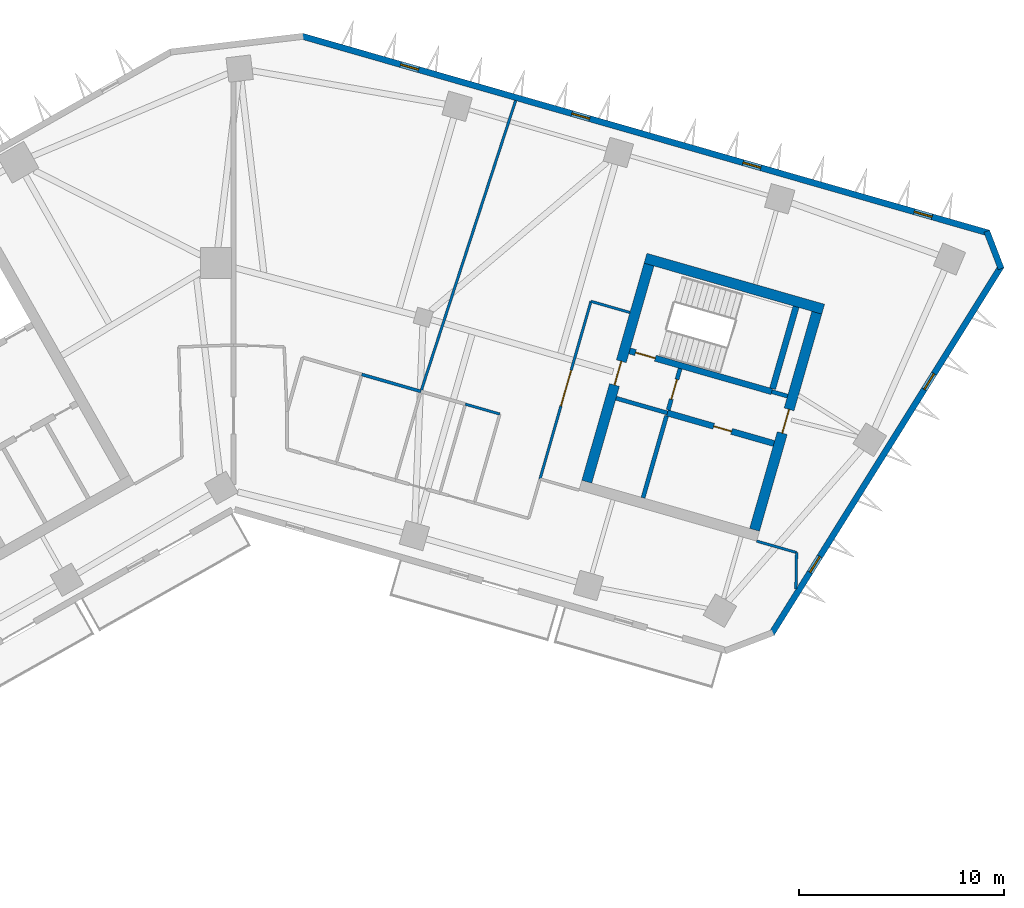
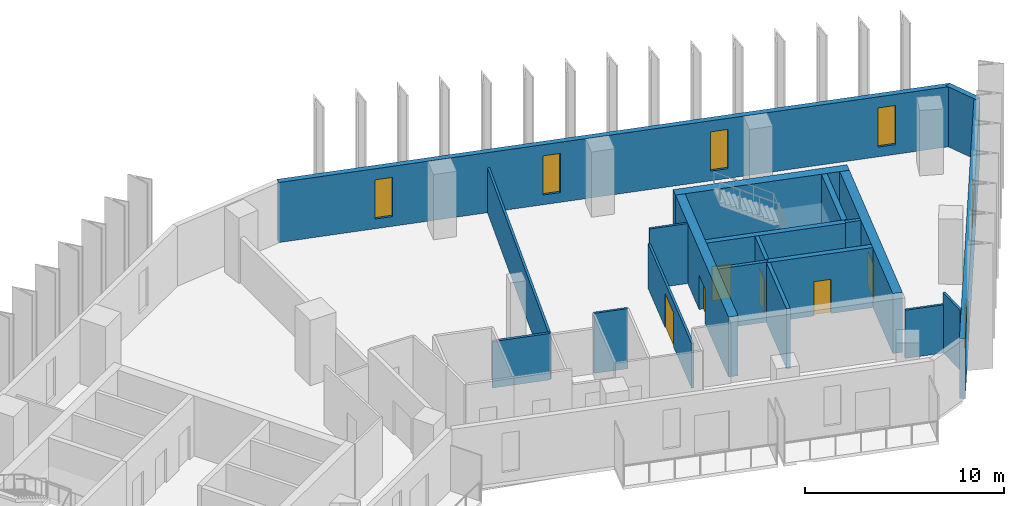
# One storey, part 6 of 10: 20 walls, 6 doors, 6 windows, 12 openings.
"""IFC4 building model written with IfcOpenShell, lengths in metres."""

from ifc_helpers import new_model, si_unit, direction, frame, frame_2d, origin, place, context, subcontext, project, spatial, rectangle, extrude, material, layer, layer_set, type_object, element, fill, save


model = new_model("IFC4")

# Units and contexts
model_context = context("Model", 3, precision=1e-05, world=origin(), true_north=direction((0.0, 1.0)))
body_context = subcontext(model_context, "Body", "Model", "MODEL_VIEW")
ifc_project = project(units=[si_unit("LENGTHUNIT", "METRE"), si_unit("AREAUNIT", "SQUARE_METRE"), si_unit("VOLUMEUNIT", "CUBIC_METRE"), si_unit("PLANEANGLEUNIT", "RADIAN"), si_unit("MASSUNIT", "GRAM", prefix="KILO")], contexts=[model_context])

# Site, building, storey
site_placement = place(None, origin())
site = spatial("IfcSite", under=ifc_project, at=site_placement, CompositionType="ELEMENT")
building_placement = place(site_placement, origin())
building = spatial("IfcBuilding", under=site, at=building_placement, Name="Binnacle Exchange Tower", CompositionType="ELEMENT")
storey_placement = place(building_placement, frame((0.0, 0.0, 186.89990234375)))
storey = spatial("IfcBuildingStorey", under=building, at=storey_placement, Name="L40", CompositionType="ELEMENT", Elevation=186.89990234375)

# Wall, opening, door
ifc_material_1 = material(Name="Concrete C70/85", Category="concrete")
ifc_layer_1 = layer(ifc_material_1, 0.300048828125)
ifc_layer_set_1 = layer_set([ifc_layer_1], Name="Core wall - front 300")
wall_type_1 = type_object("IfcWallType", Name="Core wall - front 300", PredefinedType="SOLIDWALL", material=ifc_layer_set_1)
wall_1_placement = place(storey_placement, frame((21.130859375, 52.6923828125, 0.0), z_axis=(0.0, 0.0, 1.0), x_axis=(0.961271043721, -0.27560475414, 0.0)))
wall_1 = element("IfcWall", 1, at=wall_1_placement, inside=storey, type_object=wall_type_1, Name="Core wall CRWD3", PredefinedType="SOLIDWALL", context=body_context, shape_type="SweptSolid", body=[
    extrude(rectangle(XDim=5.400146484375, YDim=0.300048828125, at=frame_2d((2.7001953125, 0.0))), origin(), (0.0, 0.0, 1.0), 3.68017578125),
])
opening_1_placement = place(wall_1_placement, frame((2.35009765625, 0.0, 0.0)))
opening_1 = element("IfcOpeningElement", 2, at=opening_1_placement, cuts=wall_1, Name="Opening DD10", PredefinedType="OPENING", context=body_context, shape_type="SweptSolid", body=[
    extrude(rectangle(XDim=0.89990234375, YDim=2.10009765625, at=frame_2d((0.449951171875, 1.050048828125))), frame((0.0, 0.159912109375, 0.0), z_axis=(0.0, -1.0, 0.0), x_axis=(1.0, 0.0, 0.0)), (0.0, 0.0, 1.0), 0.320068359375),
])
ifc_material_2 = material(Name="Steel door leaf", Category="steel")
door_type_1 = type_object("IfcDoorType", Name="Fire door 900", OperationType="NOTDEFINED", PredefinedType="DOOR", material=ifc_material_2)
door_1_placement = place(opening_1_placement, frame((0.89990234375, 0.0, 0.0), z_axis=(0.0, 0.0, 1.0), x_axis=(-1.0, 0.0, 0.0)))
door_1 = element("IfcDoor", 3, at=door_1_placement, inside=storey, type_object=door_type_1, Name="Core room door TELECOM RISER ROOM", OperationType="SINGLE_SWING_LEFT", OverallHeight=2.10009765625, OverallWidth=0.89990234375, PredefinedType="DOOR", context=body_context, shape_type="SweptSolid", body=[
    extrude(rectangle(XDim=0.89990234375, YDim=2.10009765625, at=frame_2d((0.449951171875, 1.050048828125))), frame((0.0, 0.02490234375, 0.0), z_axis=(0.0, -1.0, 0.0), x_axis=(1.0, 0.0, 0.0)), (0.0, 0.0, 1.0), 0.050048828125),
])
fill(opening_1, door_1)

# Wall
ifc_layer_2 = layer(ifc_material_1, 0.5)
ifc_layer_set_2 = layer_set([ifc_layer_2], Name="Core wall - outer 500")
wall_type_2 = type_object("IfcWallType", Name="Core wall - outer 500", PredefinedType="SOLIDWALL", material=ifc_layer_set_2)
wall_2_placement = place(storey_placement, frame((20.066650390625, 60.227783203125, 0.0), z_axis=(0.0, 0.0, 1.0), x_axis=(0.96126248289, -0.275634611374, 0.0)))
element("IfcWall", 4, at=wall_2_placement, inside=storey, type_object=wall_type_2, Name="Core wall CRWD6", PredefinedType="SOLIDWALL", context=body_context, shape_type="SweptSolid", body=[
    extrude(rectangle(XDim=9.0, YDim=0.5, at=frame_2d((4.5, 0.0))), origin(), (0.0, 0.0, 1.0), 3.68017578125),
])

# Wall, opening, door
wall_3_placement = place(storey_placement, frame((17.2060546875, 49.344482421875, 0.0), z_axis=(0.0, 0.0, 1.0), x_axis=(0.275632651182, 0.961263044958, 0.0)))
wall_3 = element("IfcWall", 5, at=wall_3_placement, inside=storey, type_object=wall_type_2, Name="Core wall CRWD7", PredefinedType="SOLIDWALL", context=body_context, shape_type="SweptSolid", body=[
    extrude(rectangle(XDim=11.0, YDim=0.5, at=frame_2d((5.5, 0.0))), origin(), (0.0, 0.0, 1.0), 3.68017578125),
])
opening_2_placement = place(wall_3_placement, frame((4.89990234375, 0.0, 0.0)))
opening_2 = element("IfcOpeningElement", 6, at=opening_2_placement, cuts=wall_3, Name="Opening DD5", PredefinedType="OPENING", context=body_context, shape_type="SweptSolid", body=[
    extrude(rectangle(XDim=1.199951171875, YDim=2.10009765625, at=frame_2d((0.60009765625, 1.050048828125))), frame((0.0, 0.260009765625, 0.0), z_axis=(0.0, -1.0, 0.0), x_axis=(1.0, 0.0, 0.0)), (0.0, 0.0, 1.0), 0.52001953125),
])
door_type_2 = type_object("IfcDoorType", Name="Fire door 1200", OperationType="NOTDEFINED", PredefinedType="DOOR", material=ifc_material_2)
door_2_placement = place(opening_2_placement, origin())
door_2 = element("IfcDoor", 7, at=door_2_placement, inside=storey, type_object=door_type_2, Name="Vestibule exit door VEST-W", OperationType="SINGLE_SWING_LEFT", OverallHeight=2.10009765625, OverallWidth=1.199951171875, PredefinedType="DOOR", context=body_context, shape_type="SweptSolid", body=[
    extrude(rectangle(XDim=1.199951171875, YDim=2.10009765625, at=frame_2d((0.60009765625, 1.050048828125))), frame((0.0, 0.02490234375, 0.0), z_axis=(0.0, -1.0, 0.0), x_axis=(1.0, 0.0, 0.0)), (0.0, 0.0, 1.0), 0.050048828125),
])
fill(opening_2, door_2)

wall_4_placement = place(storey_placement, frame((25.376708984375, 47.001708984375, 0.0), z_axis=(0.0, 0.0, 1.0), x_axis=(0.275632651182, 0.961263044958, 0.0)))
wall_4 = element("IfcWall", 8, at=wall_4_placement, inside=storey, type_object=wall_type_2, Name="Core wall CRWD12", PredefinedType="SOLIDWALL", context=body_context, shape_type="SweptSolid", body=[
    extrude(rectangle(XDim=11.0, YDim=0.5, at=frame_2d((5.5, 0.0))), origin(), (0.0, 0.0, 1.0), 3.68017578125),
])
opening_3_placement = place(wall_4_placement, frame((4.89990234375, 0.0, 0.0)))
opening_3 = element("IfcOpeningElement", 9, at=opening_3_placement, cuts=wall_4, Name="Opening DD6", PredefinedType="OPENING", context=body_context, shape_type="SweptSolid", body=[
    extrude(rectangle(XDim=1.199951171875, YDim=2.10009765625, at=frame_2d((0.60009765625, 1.050048828125))), frame((0.0, 0.260009765625, 0.0), z_axis=(0.0, -1.0, 0.0), x_axis=(1.0, 0.0, 0.0)), (0.0, 0.0, 1.0), 0.52001953125),
])
door_3_placement = place(opening_3_placement, frame((1.199951171875, 0.0, 0.0), z_axis=(0.0, 0.0, 1.0), x_axis=(-1.0, 0.0, 0.0)))
door_3 = element("IfcDoor", 10, at=door_3_placement, inside=storey, type_object=door_type_2, Name="Core passage exit door", OperationType="SINGLE_SWING_RIGHT", OverallHeight=2.10009765625, OverallWidth=1.199951171875, PredefinedType="DOOR", context=body_context, shape_type="SweptSolid", body=[
    extrude(rectangle(XDim=1.199951171875, YDim=2.10009765625, at=frame_2d((0.60009765625, 1.050048828125))), frame((0.0, 0.02490234375, 0.0), z_axis=(0.0, -1.0, 0.0), x_axis=(1.0, 0.0, 0.0)), (0.0, 0.0, 1.0), 0.050048828125),
])
fill(opening_3, door_3)

ifc_layer_3 = layer(ifc_material_1, 0.300048828125)
ifc_layer_set_3 = layer_set([ifc_layer_3], Name="Core wall - stair 300")
wall_type_3 = type_object("IfcWallType", Name="Core wall - stair 300", PredefinedType="SOLIDWALL", material=ifc_layer_set_3)
wall_5_placement = place(storey_placement, frame((19.293212890625, 55.71630859375, 0.0), z_axis=(0.0, 0.0, 1.0), x_axis=(0.96125862491, -0.275648065539, 0.0)))
wall_5 = element("IfcWall", 11, at=wall_5_placement, inside=storey, type_object=wall_type_3, Name="Core wall CRWD4", PredefinedType="SOLIDWALL", context=body_context, shape_type="SweptSolid", body=[
    extrude(rectangle(XDim=7.199951171875, YDim=0.300048828125, at=frame_2d((3.60009765625, 0.0))), origin(), (0.0, 0.0, 1.0), 3.68017578125),
])
opening_4_placement = place(wall_5_placement, frame((0.300048828125, 0.0, 0.0)))
opening_4 = element("IfcOpeningElement", 12, at=opening_4_placement, cuts=wall_5, Name="Opening DD1", PredefinedType="OPENING", context=body_context, shape_type="SweptSolid", body=[
    extrude(rectangle(XDim=1.0, YDim=2.10009765625, at=frame_2d((0.5, 1.050048828125))), frame((0.0, 0.159912109375, 0.0), z_axis=(0.0, -1.0, 0.0), x_axis=(1.0, 0.0, 0.0)), (0.0, 0.0, 1.0), 0.320068359375),
])
door_type_3 = type_object("IfcDoorType", Name="Fire door 1000", OperationType="NOTDEFINED", PredefinedType="DOOR", material=ifc_material_2)
door_4_placement = place(opening_4_placement, origin())
door_4 = element("IfcDoor", 13, at=door_4_placement, inside=storey, type_object=door_type_3, Name="Stair door ST-D1", OperationType="SINGLE_SWING_LEFT", OverallHeight=2.10009765625, OverallWidth=1.0, PredefinedType="DOOR", context=body_context, shape_type="SweptSolid", body=[
    extrude(rectangle(XDim=1.0, YDim=2.10009765625, at=frame_2d((0.5, 1.050048828125))), frame((0.0, 0.02490234375, 0.0), z_axis=(0.0, -1.0, 0.0), x_axis=(1.0, 0.0, 0.0)), (0.0, 0.0, 1.0), 0.050048828125),
])
fill(opening_4, door_4)

# Wall
wall_6_placement = place(storey_placement, frame((26.255615234375, 53.875732421875, 0.0), z_axis=(0.0, 0.0, 1.0), x_axis=(0.275614546295, 0.961268236171, 0.0)))
element("IfcWall", 14, at=wall_6_placement, inside=storey, type_object=wall_type_3, Name="Core wall CRWD11", PredefinedType="SOLIDWALL", context=body_context, shape_type="SweptSolid", body=[
    extrude(rectangle(XDim=4.14990234375, YDim=0.300048828125, at=frame_2d((2.074951171875, 0.0))), origin(), (0.0, 0.0, 1.0), 3.68017578125),
])

# Wall, openings, windows
ifc_material_3 = material(Name="Bronze aluminium cladding", Category="aluminium")
ifc_layer_4 = layer(ifc_material_3, 0.300048828125)
ifc_layer_set_4 = layer_set([ifc_layer_4], Name="External wall - spandrel 300")
wall_type_4 = type_object("IfcWallType", Name="External wall - spandrel 300", PredefinedType="STANDARD", material=ifc_layer_set_4)
wall_7_placement = place(storey_placement, frame((37.39892578125, 59.850830078125, 0.0), z_axis=(0.0, 0.0, 1.0), x_axis=(-0.529919986982, -0.848047644532, 0.0)))
wall_7 = element("IfcWall", 15, at=wall_7_placement, inside=storey, type_object=wall_type_4, Name="External wall EW-G04 L40", PredefinedType="STANDARD", context=body_context, shape_type="SweptSolid", body=[
    extrude(rectangle(XDim=21.125, YDim=0.300048828125, at=frame_2d((10.5625, 0.0))), origin(), (0.0, 0.0, 1.0), 3.68017578125),
])
opening_5_placement = place(wall_7_placement, frame((16.687255859375, 0.0, 0.60009765625)))
opening_5 = element("IfcOpeningElement", 16, at=opening_5_placement, cuts=wall_7, Name="Opening WS3", PredefinedType="OPENING", context=body_context, shape_type="SweptSolid", body=[
    extrude(rectangle(XDim=0.89990234375, YDim=2.39990234375, at=frame_2d((0.449951171875, 1.199951171875))), frame((0.0, 0.159912109375, 0.0), z_axis=(0.0, -1.0, 0.0), x_axis=(1.0, 0.0, 0.0)), (0.0, 0.0, 1.0), 0.320068359375),
])
opening_6_placement = place(wall_7_placement, frame((6.187255859375, 0.0, 0.60009765625)))
opening_6 = element("IfcOpeningElement", 17, at=opening_6_placement, cuts=wall_7, Name="Opening WS3", PredefinedType="OPENING", context=body_context, shape_type="SweptSolid", body=[
    extrude(rectangle(XDim=0.89990234375, YDim=2.39990234375, at=frame_2d((0.449951171875, 1.199951171875))), frame((0.0, 0.159912109375, 0.0), z_axis=(0.0, -1.0, 0.0), x_axis=(1.0, 0.0, 0.0)), (0.0, 0.0, 1.0), 0.320068359375),
])
ifc_material_4 = material(Name="Bronze anodised aluminium frame", Category="aluminium")
window_type = type_object("IfcWindowType", Name="WS3 WINDOW 900x2400", PartitioningType="SINGLE_PANEL", PredefinedType="WINDOW", material=ifc_material_4)
window_1_placement = place(opening_5_placement, origin())
window_1 = element("IfcWindow", 18, at=window_1_placement, inside=storey, type_object=window_type, Name="Window WS3 L40", OverallHeight=2.39990234375, OverallWidth=0.89990234375, PartitioningType="SINGLE_PANEL", PredefinedType="WINDOW", context=body_context, shape_type="SweptSolid", body=[
    extrude(rectangle(XDim=0.89990234375, YDim=2.39990234375, at=frame_2d((0.449951171875, 1.199951171875))), frame((0.0, 0.030029296875, 0.0), z_axis=(0.0, -1.0, 0.0), x_axis=(1.0, 0.0, 0.0)), (0.0, 0.0, 1.0), 0.06005859375),
])
fill(opening_5, window_1)
window_2_placement = place(opening_6_placement, origin())
window_2 = element("IfcWindow", 19, at=window_2_placement, inside=storey, type_object=window_type, Name="Window WS3 L40", OverallHeight=2.39990234375, OverallWidth=0.89990234375, PartitioningType="SINGLE_PANEL", PredefinedType="WINDOW", context=body_context, shape_type="SweptSolid", body=[
    extrude(rectangle(XDim=0.89990234375, YDim=2.39990234375, at=frame_2d((0.449951171875, 1.199951171875))), frame((0.0, 0.030029296875, 0.0), z_axis=(0.0, -1.0, 0.0), x_axis=(1.0, 0.0, 0.0)), (0.0, 0.0, 1.0), 0.06005859375),
])
fill(opening_6, window_2)

# Wall
wall_8_placement = place(storey_placement, frame((36.685546875, 61.542724609375, 0.0), z_axis=(0.0, 0.0, 1.0), x_axis=(0.358284408222, -0.933612490718, 0.0)))
element("IfcWall", 20, at=wall_8_placement, inside=storey, type_object=wall_type_4, Name="External wall EW-G05 L40", PredefinedType="STANDARD", context=body_context, shape_type="SweptSolid", body=[
    extrude(rectangle(XDim=1.955078125, YDim=0.300048828125, at=frame_2d((0.9775390625, 0.0))), origin(), (0.0, 0.0, 1.0), 3.68017578125),
])

# Wall, openings, windows
wall_9_placement = place(storey_placement, frame((3.33544921875, 71.043701171875, 0.0), z_axis=(0.0, 0.0, 1.0), x_axis=(0.961261395375, -0.275638404002, 0.0)))
wall_9 = element("IfcWall", 21, at=wall_9_placement, inside=storey, type_object=wall_type_4, Name="External wall EW-G06 L40", PredefinedType="STANDARD", context=body_context, shape_type="SweptSolid", body=[
    extrude(rectangle(XDim=34.796630859375, YDim=0.300048828125, at=frame_2d((17.3984375, 0.0))), origin(), (0.0, 0.0, 1.0), 3.68017578125),
])
opening_7_placement = place(wall_9_placement, frame((31.01953125, 0.0, 0.60009765625)))
opening_7 = element("IfcOpeningElement", 22, at=opening_7_placement, cuts=wall_9, Name="Opening WS3", PredefinedType="OPENING", context=body_context, shape_type="SweptSolid", body=[
    extrude(rectangle(XDim=0.89990234375, YDim=2.39990234375, at=frame_2d((0.449951171875, 1.199951171875))), frame((0.0, 0.159912109375, 0.0), z_axis=(0.0, -1.0, 0.0), x_axis=(1.0, 0.0, 0.0)), (0.0, 0.0, 1.0), 0.320068359375),
])
opening_8_placement = place(wall_9_placement, frame((22.3466796875, 0.0, 0.60009765625)))
opening_8 = element("IfcOpeningElement", 23, at=opening_8_placement, cuts=wall_9, Name="Opening WS3", PredefinedType="OPENING", context=body_context, shape_type="SweptSolid", body=[
    extrude(rectangle(XDim=0.89990234375, YDim=2.39990234375, at=frame_2d((0.449951171875, 1.199951171875))), frame((0.0, 0.159912109375, 0.0), z_axis=(0.0, -1.0, 0.0), x_axis=(1.0, 0.0, 0.0)), (0.0, 0.0, 1.0), 0.320068359375),
])
opening_9_placement = place(wall_9_placement, frame((13.673583984375, 0.0, 0.60009765625)))
opening_9 = element("IfcOpeningElement", 24, at=opening_9_placement, cuts=wall_9, Name="Opening WS3", PredefinedType="OPENING", context=body_context, shape_type="SweptSolid", body=[
    extrude(rectangle(XDim=0.89990234375, YDim=2.39990234375, at=frame_2d((0.449951171875, 1.199951171875))), frame((0.0, 0.159912109375, 0.0), z_axis=(0.0, -1.0, 0.0), x_axis=(1.0, 0.0, 0.0)), (0.0, 0.0, 1.0), 0.320068359375),
])
opening_10_placement = place(wall_9_placement, frame((5.000732421875, 0.0, 0.60009765625)))
opening_10 = element("IfcOpeningElement", 25, at=opening_10_placement, cuts=wall_9, Name="Opening WS3", PredefinedType="OPENING", context=body_context, shape_type="SweptSolid", body=[
    extrude(rectangle(XDim=0.89990234375, YDim=2.39990234375, at=frame_2d((0.449951171875, 1.199951171875))), frame((0.0, 0.159912109375, 0.0), z_axis=(0.0, -1.0, 0.0), x_axis=(1.0, 0.0, 0.0)), (0.0, 0.0, 1.0), 0.320068359375),
])
window_3_placement = place(opening_7_placement, origin())
window_3 = element("IfcWindow", 26, at=window_3_placement, inside=storey, type_object=window_type, Name="Window WS3 L40", OverallHeight=2.39990234375, OverallWidth=0.89990234375, PartitioningType="SINGLE_PANEL", PredefinedType="WINDOW", context=body_context, shape_type="SweptSolid", body=[
    extrude(rectangle(XDim=0.89990234375, YDim=2.39990234375, at=frame_2d((0.449951171875, 1.199951171875))), frame((0.0, 0.030029296875, 0.0), z_axis=(0.0, -1.0, 0.0), x_axis=(1.0, 0.0, 0.0)), (0.0, 0.0, 1.0), 0.06005859375),
])
fill(opening_7, window_3)
window_4_placement = place(opening_8_placement, origin())
window_4 = element("IfcWindow", 27, at=window_4_placement, inside=storey, type_object=window_type, Name="Window WS3 L40", OverallHeight=2.39990234375, OverallWidth=0.89990234375, PartitioningType="SINGLE_PANEL", PredefinedType="WINDOW", context=body_context, shape_type="SweptSolid", body=[
    extrude(rectangle(XDim=0.89990234375, YDim=2.39990234375, at=frame_2d((0.449951171875, 1.199951171875))), frame((0.0, 0.030029296875, 0.0), z_axis=(0.0, -1.0, 0.0), x_axis=(1.0, 0.0, 0.0)), (0.0, 0.0, 1.0), 0.06005859375),
])
fill(opening_8, window_4)
window_5_placement = place(opening_9_placement, origin())
window_5 = element("IfcWindow", 28, at=window_5_placement, inside=storey, type_object=window_type, Name="Window WS3 L40", OverallHeight=2.39990234375, OverallWidth=0.89990234375, PartitioningType="SINGLE_PANEL", PredefinedType="WINDOW", context=body_context, shape_type="SweptSolid", body=[
    extrude(rectangle(XDim=0.89990234375, YDim=2.39990234375, at=frame_2d((0.449951171875, 1.199951171875))), frame((0.0, 0.030029296875, 0.0), z_axis=(0.0, -1.0, 0.0), x_axis=(1.0, 0.0, 0.0)), (0.0, 0.0, 1.0), 0.06005859375),
])
fill(opening_9, window_5)
window_6_placement = place(opening_10_placement, origin())
window_6 = element("IfcWindow", 29, at=window_6_placement, inside=storey, type_object=window_type, Name="Window WS3 L40", OverallHeight=2.39990234375, OverallWidth=0.89990234375, PartitioningType="SINGLE_PANEL", PredefinedType="WINDOW", context=body_context, shape_type="SweptSolid", body=[
    extrude(rectangle(XDim=0.89990234375, YDim=2.39990234375, at=frame_2d((0.449951171875, 1.199951171875))), frame((0.0, 0.030029296875, 0.0), z_axis=(0.0, -1.0, 0.0), x_axis=(1.0, 0.0, 0.0)), (0.0, 0.0, 1.0), 0.06005859375),
])
fill(opening_10, window_6)

# Wall, opening, door
ifc_material_5 = material(Name="Masonry block wall", Category="masonry")
ifc_layer_5 = layer(ifc_material_5, 0.199951171875)
ifc_layer_set_5 = layer_set([ifc_layer_5], Name="Fire wall - vestibule 200")
wall_type_5 = type_object("IfcWallType", Name="Fire wall - vestibule 200", PredefinedType="PARTITIONING", material=ifc_layer_set_5)
wall_10_placement = place(storey_placement, frame((21.172119140625, 52.836669921875, 0.0), z_axis=(0.0, 0.0, 1.0), x_axis=(0.275657676022, 0.961255868981, 0.0)))
wall_10 = element("IfcWall", 30, at=wall_10_placement, inside=storey, type_object=wall_type_5, Name="Core wall CRWD9", PredefinedType="PARTITIONING", context=body_context, shape_type="SweptSolid", body=[
    extrude(rectangle(XDim=2.099853515625, YDim=0.199951171875, at=frame_2d((1.0498046875, 0.0))), origin(), (0.0, 0.0, 1.0), 3.68017578125),
])
opening_11_placement = place(wall_10_placement, frame((0.550048828125, 0.0, 0.0)))
opening_11 = element("IfcOpeningElement", 31, at=opening_11_placement, cuts=wall_10, Name="Opening DD3", PredefinedType="OPENING", context=body_context, shape_type="SweptSolid", body=[
    extrude(rectangle(XDim=1.0, YDim=2.10009765625, at=frame_2d((0.5, 1.050048828125))), frame((0.0, 0.10986328125, 0.0), z_axis=(0.0, -1.0, 0.0), x_axis=(1.0, 0.0, 0.0)), (0.0, 0.0, 1.0), 0.219970703125),
])
door_5_placement = place(opening_11_placement, origin())
door_5 = element("IfcDoor", 32, at=door_5_placement, inside=storey, type_object=door_type_3, Name="Vestibule door VEST-W", OperationType="SINGLE_SWING_RIGHT", OverallHeight=2.10009765625, OverallWidth=1.0, PredefinedType="DOOR", context=body_context, shape_type="SweptSolid", body=[
    extrude(rectangle(XDim=1.0, YDim=2.10009765625, at=frame_2d((0.5, 1.050048828125))), frame((0.0, 0.02490234375, 0.0), z_axis=(0.0, -1.0, 0.0), x_axis=(1.0, 0.0, 0.0)), (0.0, 0.0, 1.0), 0.050048828125),
])
fill(opening_11, door_5)

# Walls
ifc_material_6 = material(Name="Gypsum partition fire rated")
ifc_layer_6 = layer(ifc_material_6, 0.14990234375)
ifc_layer_set_6 = layer_set([ifc_layer_6], Name="Fire-rated partition 150")
wall_type_6 = type_object("IfcWallType", Name="Fire-rated partition 150", PredefinedType="PARTITIONING", material=ifc_layer_set_6)
wall_11_placement = place(storey_placement, frame((6.2451171875, 54.568115234375, 0.0), z_axis=(0.0, 0.0, 1.0), x_axis=(0.961240918172, -0.275709806194, 0.0)))
element("IfcWall", 33, at=wall_11_placement, inside=storey, type_object=wall_type_6, Name="Partition W20", PredefinedType="PARTITIONING", context=body_context, shape_type="SweptSolid", body=[
    extrude(rectangle(XDim=3.0, YDim=0.14990234375, at=frame_2d((1.5, 0.0))), origin(), (0.0, 0.0, 1.0), 2.85205078125),
])
ifc_material_7 = material(Name="Gypsum partition")
ifc_layer_7 = layer(ifc_material_7, 0.125)
ifc_layer_set_7 = layer_set([ifc_layer_7], Name="Partition 125")
wall_type_7 = type_object("IfcWallType", Name="Partition 125", PredefinedType="PARTITIONING", material=ifc_layer_set_7)
wall_12_placement = place(storey_placement, frame((9.12890625, 53.740966796875, 0.0), z_axis=(0.0, 0.0, 1.0), x_axis=(0.309576741849, 0.950874461171, 0.0)))
element("IfcWall", 34, at=wall_12_placement, inside=storey, type_object=wall_type_7, Name="Partition W24", PredefinedType="PARTITIONING", context=body_context, shape_type="SweptSolid", body=[
    extrude(rectangle(XDim=14.894775390625, YDim=0.125, at=frame_2d((7.447265625, 0.0))), origin(), (0.0, 0.0, 1.0), 2.748046875),
])
wall_13_placement = place(storey_placement, frame((11.291015625, 53.12109375, 0.0), z_axis=(0.0, 0.0, 1.0), x_axis=(0.961329010357, -0.275402494264, 0.0)))
element("IfcWall", 35, at=wall_13_placement, inside=storey, type_object=wall_type_7, Name="Partition W27", PredefinedType="PARTITIONING", context=body_context, shape_type="SweptSolid", body=[
    extrude(rectangle(XDim=1.750732421875, YDim=0.125, at=frame_2d((0.87548828125, 0.0))), origin(), (0.0, 0.0, 1.0), 3.68017578125),
])

# Wall, opening, door
wall_14_placement = place(storey_placement, frame((14.927978515625, 49.47802734375, 0.0), z_axis=(0.0, 0.0, 1.0), x_axis=(0.275674053528, 0.961251172281, 0.0)))
wall_14 = element("IfcWall", 36, at=wall_14_placement, inside=storey, type_object=wall_type_7, Name="Partition W32", PredefinedType="PARTITIONING", context=body_context, shape_type="SweptSolid", body=[
    extrude(rectangle(XDim=8.99951171875, YDim=0.125, at=frame_2d((4.499755859375, 0.0))), origin(), (0.0, 0.0, 1.0), 2.748046875),
])
opening_12_placement = place(wall_14_placement, frame((3.699951171875, 0.0, 0.0)))
opening_12 = element("IfcOpeningElement", 37, at=opening_12_placement, cuts=wall_14, Name="Opening DL38-09", PredefinedType="OPENING", context=body_context, shape_type="SweptSolid", body=[
    extrude(rectangle(XDim=1.800048828125, YDim=2.10009765625, at=frame_2d((0.89990234375, 1.050048828125))), frame((0.0, 0.072509765625, 0.0), z_axis=(0.0, -1.0, 0.0), x_axis=(1.0, 0.0, 0.0)), (0.0, 0.0, 1.0), 0.14501953125),
])
ifc_material_8 = material(Name="Timber door leaf", Category="wood")
door_type_4 = type_object("IfcDoorType", Name="Double door 1800", OperationType="NOTDEFINED", PredefinedType="DOOR", material=ifc_material_8)
door_6_placement = place(opening_12_placement, origin())
door_6 = element("IfcDoor", 38, at=door_6_placement, inside=storey, type_object=door_type_4, Name="Door DL38-09", OperationType="DOUBLE_DOOR_SINGLE_SWING", OverallHeight=2.10009765625, OverallWidth=1.800048828125, PredefinedType="DOOR", context=body_context, shape_type="SweptSolid", body=[
    extrude(rectangle(XDim=1.800048828125, YDim=2.10009765625, at=frame_2d((0.89990234375, 1.050048828125))), frame((0.0, 0.02490234375, 0.0), z_axis=(0.0, -1.0, 0.0), x_axis=(1.0, 0.0, 0.0)), (0.0, 0.0, 1.0), 0.050048828125),
])
fill(opening_12, door_6)

# Walls
wall_15_placement = place(storey_placement, frame((17.408935546875, 58.12890625, 0.0), z_axis=(0.0, 0.0, 1.0), x_axis=(0.961253165474, -0.275667103345, 0.0)))
element("IfcWall", 39, at=wall_15_placement, inside=storey, type_object=wall_type_7, Name="Partition W33", PredefinedType="PARTITIONING", context=body_context, shape_type="SweptSolid", body=[
    extrude(rectangle(XDim=1.976806640625, YDim=0.125, at=frame_2d((0.98828125, 0.0))), origin(), (0.0, 0.0, 1.0), 3.68017578125),
])
wall_16_placement = place(storey_placement, frame((25.47900390625, 46.451904296875, 0.0), z_axis=(0.0, 0.0, 1.0), x_axis=(0.961245725795, -0.275693044238, 0.0)))
element("IfcWall", 40, at=wall_16_placement, inside=storey, type_object=wall_type_7, Name="Partition W34", PredefinedType="PARTITIONING", context=body_context, shape_type="SweptSolid", body=[
    extrude(rectangle(XDim=2.0234375, YDim=0.125, at=frame_2d((1.01171875, 0.0))), origin(), (0.0, 0.0, 1.0), 2.9521484375),
])
wall_17_placement = place(storey_placement, frame((27.39111328125, 44.116943359375, 0.0), z_axis=(0.0, 0.0, 1.0), x_axis=(0.018543314717, 0.999828057958, 0.0)))
element("IfcWall", 41, at=wall_17_placement, inside=storey, type_object=wall_type_7, Name="Partition W35", PredefinedType="PARTITIONING", context=body_context, shape_type="SweptSolid", body=[
    extrude(rectangle(XDim=1.77734375, YDim=0.125, at=frame_2d((0.888671875, 0.0))), origin(), (0.0, 0.0, 1.0), 3.68017578125),
])
ifc_layer_8 = layer(ifc_material_5, 0.199951171875)
ifc_layer_set_8 = layer_set([ifc_layer_8], Name="Riser wall 200")
wall_type_8 = type_object("IfcWallType", Name="Riser wall 200", PredefinedType="SOLIDWALL", material=ifc_layer_set_8)
wall_18_placement = place(storey_placement, frame((18.631591796875, 53.4091796875, 0.0), z_axis=(0.0, 0.0, 1.0), x_axis=(0.961247078216, -0.275688328772, 0.0)))
element("IfcWall", 42, at=wall_18_placement, inside=storey, type_object=wall_type_8, Name="Core wall CRWD2", PredefinedType="SOLIDWALL", context=body_context, shape_type="SweptSolid", body=[
    extrude(rectangle(XDim=2.60009765625, YDim=0.199951171875, at=frame_2d((1.300048828125, 0.0))), origin(), (0.0, 0.0, 1.0), 3.68017578125),
])
wall_19_placement = place(storey_placement, frame((26.214111328125, 53.731689453125, 0.0), z_axis=(0.0, 0.0, 1.0), x_axis=(0.961200870072, -0.275849392554, 0.0)))
element("IfcWall", 43, at=wall_19_placement, inside=storey, type_object=wall_type_8, Name="Core wall CRWD5", PredefinedType="SOLIDWALL", context=body_context, shape_type="SweptSolid", body=[
    extrude(rectangle(XDim=0.800048828125, YDim=0.199951171875, at=frame_2d((0.39990234375, 0.0))), origin(), (0.0, 0.0, 1.0), 3.68017578125),
])
wall_20_placement = place(storey_placement, frame((19.945556640625, 48.55908203125, 0.0), z_axis=(0.0, 0.0, 1.0), x_axis=(0.275668905258, 0.961252648721, 0.0)))
element("IfcWall", 44, at=wall_20_placement, inside=storey, type_object=wall_type_8, Name="Core wall CRWD8", PredefinedType="SOLIDWALL", context=body_context, shape_type="SweptSolid", body=[
    extrude(rectangle(XDim=4.150146484375, YDim=0.199951171875, at=frame_2d((2.0751953125, 0.0))), origin(), (0.0, 0.0, 1.0), 3.68017578125),
])

save(model, "model.ifc")
